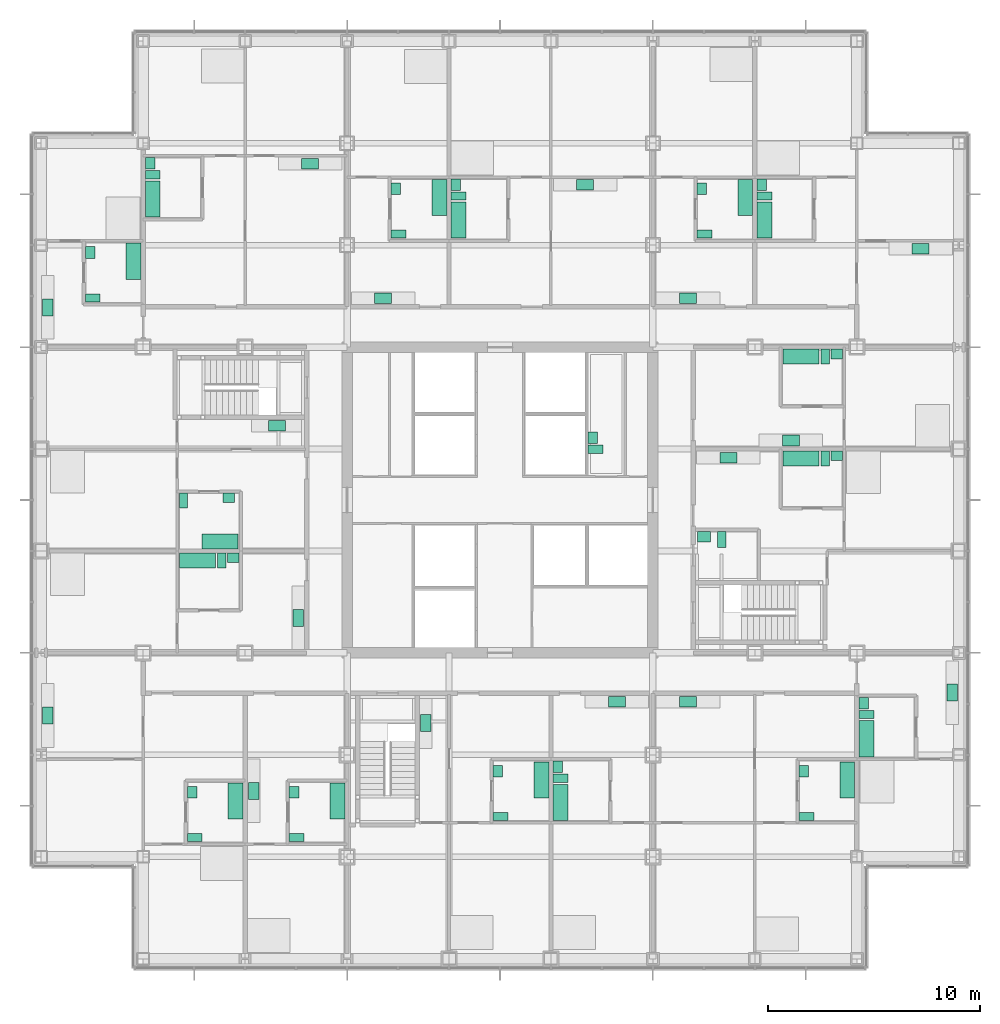
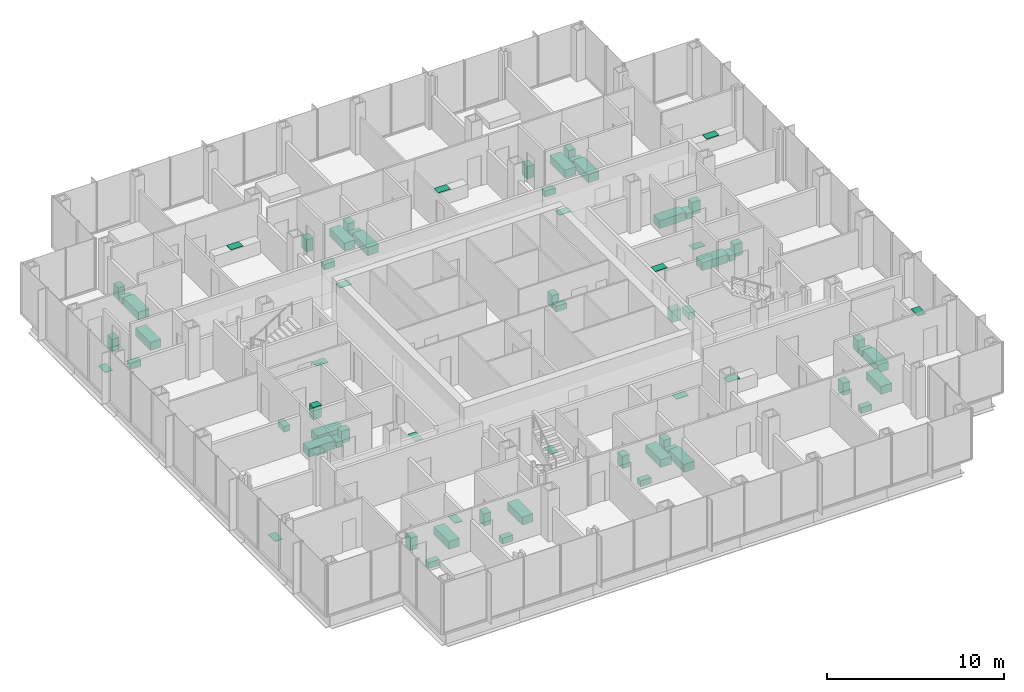
# One storey, part 20 of 21: 68 sanitary terminals.
"""IFC4 building model written with IfcOpenShell, lengths in metres."""

from ifc_helpers import new_model, si_unit, direction, frame, origin, origin_2d, place, context, subcontext, project, spatial, rectangle, extrude, material, type_object, element, save


model = new_model("IFC4")

# Units and contexts
model_context = context("Model", 3, precision=1e-05, world=origin(), true_north=direction((0.0, 1.0)))
body_context = subcontext(model_context, "Body", "Model", "MODEL_VIEW")
ifc_project = project(units=[si_unit("LENGTHUNIT", "METRE"), si_unit("AREAUNIT", "SQUARE_METRE"), si_unit("VOLUMEUNIT", "CUBIC_METRE"), si_unit("PLANEANGLEUNIT", "RADIAN"), si_unit("MASSUNIT", "GRAM", prefix="KILO")], contexts=[model_context])

# Site, building, storey
site_placement = place(None, origin())
site = spatial("IfcSite", under=ifc_project, at=site_placement, CompositionType="ELEMENT")
building_placement = place(site_placement, origin())
building = spatial("IfcBuilding", under=site, at=building_placement, Name="Kvirike Care Tower", CompositionType="ELEMENT")
storey_placement = place(building_placement, frame((0.0, 0.0, 27.0)))
storey = spatial("IfcBuildingStorey", under=building, at=storey_placement, Name="L06", CompositionType="ELEMENT", Elevation=27.0)

# Sanitary terminals
ifc_material_1 = material(Name="Vitreous china", Category="ceramic")
sanitary_terminal_type_1 = type_object("IfcSanitaryTerminalType", Name="ACCESSIBLE WASH BASIN 600 x 500", PredefinedType="WASHHANDBASIN", material=ifc_material_1)
sanitary_terminal_1_placement = place(storey_placement, frame((31.199951171875, 34.27294921875, 0.02001953125), z_axis=(0.0, 0.0, 1.0), x_axis=(1.0, 0.0, 0.0)))
element("IfcSanitaryTerminal", 1, at=sanitary_terminal_1_placement, inside=storey, type_object=sanitary_terminal_type_1, Name="Accessible wash basin L06-061", PredefinedType="WASHHANDBASIN", context=body_context, shape_type="SweptSolid", body=[
    extrude(rectangle(XDim=0.60009765625, YDim=0.5, at=origin_2d()), origin(), (0.0, 0.0, 1.0), 0.800048828125),
])
ifc_material_2 = material(Name="Vitreous china", Category="ceramic")
sanitary_terminal_type_2 = type_object("IfcSanitaryTerminalType", Name="ACCESSIBLE WC PAN 400 x 750", PredefinedType="TOILETPAN", material=ifc_material_2)
sanitary_terminal_2_placement = place(storey_placement, frame((32.050048828125, 34.14794921875, 0.02001953125), z_axis=(0.0, 0.0, 1.0), x_axis=(1.0, 0.0, 0.0)))
element("IfcSanitaryTerminal", 2, at=sanitary_terminal_2_placement, inside=storey, type_object=sanitary_terminal_type_2, Name="Accessible WC pan L06-061", PredefinedType="TOILETPAN", context=body_context, shape_type="SweptSolid", body=[
    extrude(rectangle(XDim=0.39990234375, YDim=0.75, at=origin_2d()), origin(), (0.0, 0.0, 1.0), 0.47998046875),
])
ifc_material_3 = material(Name="Enamelled steel", Category="steel")
sanitary_terminal_type_3 = type_object("IfcSanitaryTerminalType", Name="BATH 1700 x 700", PredefinedType="BATH", material=ifc_material_3)
for number, where, z_axis, x_axis, name in (
    (3, (9.14794921875, 21.824951171875, 0.02001953125), (0.0, 0.0, 1.0), (0.0, -1.0, 0.0), "Bath L06-004"),
    (4, (13.947998046875, 21.824951171875, 0.02001953125), (0.0, 0.0, 1.0), (0.0, -1.0, 0.0), "Bath L06-008"),
    (5, (8.425048828125, 34.052001953125, 0.02001953125), (0.0, 0.0, 1.0), (-1.0, 0.0, 0.0), "Bath L06-014"),
    (6, (7.360107421875, 33.14794921875, 0.02001953125), (0.0, 0.0, 1.0), (1.0, 0.0, 0.0), "Bath L06-018"),
    (7, (5.251953125, 50.175048828125, 0.02001953125), (0.0, 0.0, 1.0), (0.0, 1.0, 0.0), "Bath L06-023"),
    (8, (4.347900390625, 47.239990234375, 0.02001953125), (0.0, 0.0, 1.0), (0.0, -1.0, 0.0), "Bath L06-027"),
    (9, (23.548095703125, 22.824951171875, 0.02001953125), (0.0, 0.0, 1.0), (0.0, -1.0, 0.0), "Bath L06-033"),
    (10, (24.451904296875, 21.760009765625, 0.02001953125), (0.0, 0.0, 1.0), (0.0, 1.0, 0.0), "Bath L06-037"),
    (11, (19.652099609375, 49.175048828125, 0.02001953125), (0.0, 0.0, 1.0), (0.0, 1.0, 0.0), "Bath L06-042"),
    (12, (18.748046875, 50.239990234375, 0.02001953125), (0.0, 0.0, 1.0), (0.0, -1.0, 0.0), "Bath L06-046"),
    (13, (37.947998046875, 22.824951171875, 0.02001953125), (0.0, 0.0, 1.0), (0.0, -1.0, 0.0), "Bath L06-051"),
    (14, (38.85205078125, 24.760009765625, 0.02001953125), (0.0, 0.0, 1.0), (0.0, 1.0, 0.0), "Bath L06-055"),
    (15, (35.77490234375, 37.947998046875, 0.02001953125), (0.0, 0.0, 1.0), (1.0, 0.0, 0.0), "Bath L06-062"),
    (16, (35.77490234375, 42.748046875, 0.02001953125), (0.0, 0.0, 1.0), (1.0, 0.0, 0.0), "Bath L06-065"),
    (17, (34.052001953125, 49.175048828125, 0.02001953125), (0.0, 0.0, 1.0), (0.0, 1.0, 0.0), "Bath L06-070"),
    (18, (33.14794921875, 50.239990234375, 0.02001953125), (0.0, 0.0, 1.0), (0.0, -1.0, 0.0), "Bath L06-074"),
):
    element("IfcSanitaryTerminal", number, at=place(storey_placement, frame(where, z_axis=z_axis, x_axis=x_axis)), inside=storey, type_object=sanitary_terminal_type_3, Name=name, PredefinedType="BATH", context=body_context, shape_type="SweptSolid", body=[
        extrude(rectangle(XDim=1.699951171875, YDim=0.699951171875, at=origin_2d()), origin(), (0.0, 0.0, 1.0), 0.550048828125),
    ])
ifc_material_4 = material(Name="Stainless steel", Category="steel")
sanitary_terminal_type_4 = type_object("IfcSanitaryTerminalType", Name="KITCHEN SINK 800 x 500", PredefinedType="SINK", material=ifc_material_4)
for number, where, z_axis, x_axis, name in (
    (19, (0.302001953125, 25.8544921875, 0.89990234375), (0.0, 0.0, 1.0), (0.0, 1.0, 0.0), "Kitchen sink L06-005"),
    (20, (10.001953125, 22.31005859375, 0.89990234375), (0.0, 0.0, 1.0), (0.0, 1.0, 0.0), "Kitchen sink L06-009"),
    (21, (11.10009765625, 39.498046875, 0.89990234375), (0.0, 0.0, 1.0), (1.0, 0.0, 0.0), "Kitchen sink L06-015"),
    (22, (12.097900390625, 30.449951171875, 0.89990234375), (0.0, 0.0, 1.0), (0.0, -1.0, 0.0), "Kitchen sink L06-019"),
    (23, (12.659912109375, 51.837890625, 0.89990234375), (0.0, 0.0, 1.0), (1.0, 0.0, 0.0), "Kitchen sink L06-024"),
    (24, (0.302001953125, 45.070068359375, 0.89990234375), (0.0, 0.0, 1.0), (0.0, 1.0, 0.0), "Kitchen sink L06-028"),
    (25, (18.10205078125, 25.5, 0.89990234375), (0.0, 0.0, 1.0), (0.0, 1.0, 0.0), "Kitchen sink L06-034"),
    (26, (27.10009765625, 26.498046875, 0.89990234375), (0.0, 0.0, 1.0), (1.0, 0.0, 0.0), "Kitchen sink L06-038"),
    (27, (25.610107421875, 50.837890625, 0.89990234375), (0.0, 0.0, 1.0), (1.0, 0.0, 0.0), "Kitchen sink L06-043"),
    (28, (16.10009765625, 45.501953125, 0.89990234375), (0.0, 0.0, 1.0), (-1.0, 0.0, 0.0), "Kitchen sink L06-047"),
    (29, (30.449951171875, 26.498046875, 0.89990234375), (0.0, 0.0, 1.0), (1.0, 0.0, 0.0), "Kitchen sink L06-052"),
    (30, (42.89794921875, 26.929931640625, 0.89990234375), (0.0, 0.0, 1.0), (0.0, -1.0, 0.0), "Kitchen sink L06-056"),
    (31, (32.35009765625, 37.998046875, 0.89990234375), (0.0, 0.0, 1.0), (1.0, 0.0, 0.0), "Kitchen sink L06-063"),
    (32, (35.2900390625, 38.802001953125, 0.89990234375), (0.0, 0.0, 1.0), (-1.0, 0.0, 0.0), "Kitchen sink L06-066"),
    (33, (41.409912109375, 47.837890625, 0.89990234375), (0.0, 0.0, 1.0), (1.0, 0.0, 0.0), "Kitchen sink L06-071"),
    (34, (30.449951171875, 45.501953125, 0.89990234375), (0.0, 0.0, 1.0), (-1.0, 0.0, 0.0), "Kitchen sink L06-075"),
):
    element("IfcSanitaryTerminal", number, at=place(storey_placement, frame(where, z_axis=z_axis, x_axis=x_axis)), inside=storey, type_object=sanitary_terminal_type_4, Name=name, PredefinedType="SINK", context=body_context, shape_type="SweptSolid", body=[
        extrude(rectangle(XDim=0.800048828125, YDim=0.5, at=origin_2d()), origin(), (0.0, 0.0, 1.0), 0.030029296875),
    ])
ifc_material_5 = material(Name="Vitreous china", Category="ceramic")
sanitary_terminal_type_5 = type_object("IfcSanitaryTerminalType", Name="WASH BASIN 550 x 450", PredefinedType="WASHHANDBASIN", material=ifc_material_5)
for number, where, z_axis, x_axis, name in (
    (35, (7.10205078125, 22.235107421875, 0.02001953125), (0.0, 0.0, 1.0), (0.0, 1.0, 0.0), "Wash basin L06-004"),
    (36, (11.902099609375, 22.235107421875, 0.02001953125), (0.0, 0.0, 1.0), (0.0, 1.0, 0.0), "Wash basin L06-008"),
    (37, (8.8349609375, 36.097900390625, 0.02001953125), (0.0, 0.0, 1.0), (1.0, 0.0, 0.0), "Wash basin L06-014"),
    (38, (9.034912109375, 33.27294921875, 0.02001953125), (0.0, 0.0, 1.0), (1.0, 0.0, 0.0), "Wash basin L06-018"),
    (39, (5.126953125, 51.85009765625, 0.02001953125), (0.0, 0.0, 1.0), (0.0, 1.0, 0.0), "Wash basin L06-023"),
    (40, (2.302001953125, 47.64990234375, 0.02001953125), (0.0, 0.0, 1.0), (0.0, 1.0, 0.0), "Wash basin L06-027"),
    (41, (21.501953125, 23.235107421875, 0.02001953125), (0.0, 0.0, 1.0), (0.0, 1.0, 0.0), "Wash basin L06-033"),
    (42, (24.326904296875, 23.43505859375, 0.02001953125), (0.0, 0.0, 1.0), (0.0, 1.0, 0.0), "Wash basin L06-037"),
    (43, (19.527099609375, 50.85009765625, 0.02001953125), (0.0, 0.0, 1.0), (0.0, 1.0, 0.0), "Wash basin L06-042"),
    (44, (16.701904296875, 50.64990234375, 0.02001953125), (0.0, 0.0, 1.0), (0.0, 1.0, 0.0), "Wash basin L06-046"),
    (45, (35.902099609375, 23.235107421875, 0.02001953125), (0.0, 0.0, 1.0), (0.0, 1.0, 0.0), "Wash basin L06-051"),
    (46, (38.72705078125, 26.43505859375, 0.02001953125), (0.0, 0.0, 1.0), (0.0, 1.0, 0.0), "Wash basin L06-055"),
    (47, (37.449951171875, 38.072998046875, 0.02001953125), (0.0, 0.0, 1.0), (1.0, 0.0, 0.0), "Wash basin L06-062"),
    (48, (37.449951171875, 42.873046875, 0.02001953125), (0.0, 0.0, 1.0), (1.0, 0.0, 0.0), "Wash basin L06-065"),
    (49, (33.927001953125, 50.85009765625, 0.02001953125), (0.0, 0.0, 1.0), (0.0, 1.0, 0.0), "Wash basin L06-070"),
    (50, (31.10205078125, 50.64990234375, 0.02001953125), (0.0, 0.0, 1.0), (0.0, 1.0, 0.0), "Wash basin L06-074"),
    (51, (25.97705078125, 38.925048828125, 0.02001953125), (0.0, 0.0, 1.0), (0.0, 1.0, 0.0), "Wash basin L06-083"),
):
    element("IfcSanitaryTerminal", number, at=place(storey_placement, frame(where, z_axis=z_axis, x_axis=x_axis)), inside=storey, type_object=sanitary_terminal_type_5, Name=name, PredefinedType="WASHHANDBASIN", context=body_context, shape_type="SweptSolid", body=[
        extrude(rectangle(XDim=0.550048828125, YDim=0.449951171875, at=origin_2d()), origin(), (0.0, 0.0, 1.0), 0.85009765625),
    ])
ifc_material_6 = material(Name="Vitreous china", Category="ceramic")
sanitary_terminal_type_6 = type_object("IfcSanitaryTerminalType", Name="WC PAN 380 x 700", PredefinedType="TOILETPAN", material=ifc_material_6)
for number, where, z_axis, x_axis, name in (
    (52, (7.22705078125, 20.10009765625, 0.02001953125), (0.0, 0.0, 1.0), (0.0, 1.0, 0.0), "WC pan L06-004"),
    (53, (12.027099609375, 20.10009765625, 0.02001953125), (0.0, 0.0, 1.0), (0.0, 1.0, 0.0), "WC pan L06-008"),
    (54, (6.699951171875, 35.972900390625, 0.02001953125), (0.0, 0.0, 1.0), (1.0, 0.0, 0.0), "WC pan L06-014"),
    (55, (8.5, 33.14794921875, 0.02001953125), (0.0, 0.0, 1.0), (1.0, 0.0, 0.0), "WC pan L06-018"),
    (56, (5.251953125, 51.31494140625, 0.02001953125), (0.0, 0.0, 1.0), (0.0, 1.0, 0.0), "WC pan L06-023"),
    (57, (2.427001953125, 45.514892578125, 0.02001953125), (0.0, 0.0, 1.0), (0.0, 1.0, 0.0), "WC pan L06-027"),
    (58, (21.626953125, 21.10009765625, 0.02001953125), (0.0, 0.0, 1.0), (0.0, 1.0, 0.0), "WC pan L06-033"),
    (59, (24.451904296875, 22.89990234375, 0.02001953125), (0.0, 0.0, 1.0), (0.0, 1.0, 0.0), "WC pan L06-037"),
    (60, (19.652099609375, 50.31494140625, 0.02001953125), (0.0, 0.0, 1.0), (0.0, 1.0, 0.0), "WC pan L06-042"),
    (61, (16.826904296875, 48.514892578125, 0.02001953125), (0.0, 0.0, 1.0), (0.0, 1.0, 0.0), "WC pan L06-046"),
    (62, (36.027099609375, 21.10009765625, 0.02001953125), (0.0, 0.0, 1.0), (0.0, 1.0, 0.0), "WC pan L06-051"),
    (63, (38.85205078125, 25.89990234375, 0.02001953125), (0.0, 0.0, 1.0), (0.0, 1.0, 0.0), "WC pan L06-055"),
    (64, (36.9150390625, 37.947998046875, 0.02001953125), (0.0, 0.0, 1.0), (1.0, 0.0, 0.0), "WC pan L06-062"),
    (65, (36.9150390625, 42.748046875, 0.02001953125), (0.0, 0.0, 1.0), (1.0, 0.0, 0.0), "WC pan L06-065"),
    (66, (34.052001953125, 50.31494140625, 0.02001953125), (0.0, 0.0, 1.0), (0.0, 1.0, 0.0), "WC pan L06-070"),
    (67, (31.22705078125, 48.514892578125, 0.02001953125), (0.0, 0.0, 1.0), (0.0, 1.0, 0.0), "WC pan L06-074"),
    (68, (26.10205078125, 38.389892578125, 0.02001953125), (0.0, 0.0, 1.0), (0.0, 1.0, 0.0), "WC pan L06-083"),
):
    element("IfcSanitaryTerminal", number, at=place(storey_placement, frame(where, z_axis=z_axis, x_axis=x_axis)), inside=storey, type_object=sanitary_terminal_type_6, Name=name, PredefinedType="TOILETPAN", context=body_context, shape_type="SweptSolid", body=[
        extrude(rectangle(XDim=0.3798828125, YDim=0.699951171875, at=origin_2d()), origin(), (0.0, 0.0, 1.0), 0.39990234375),
    ])

save(model, "model.ifc")
